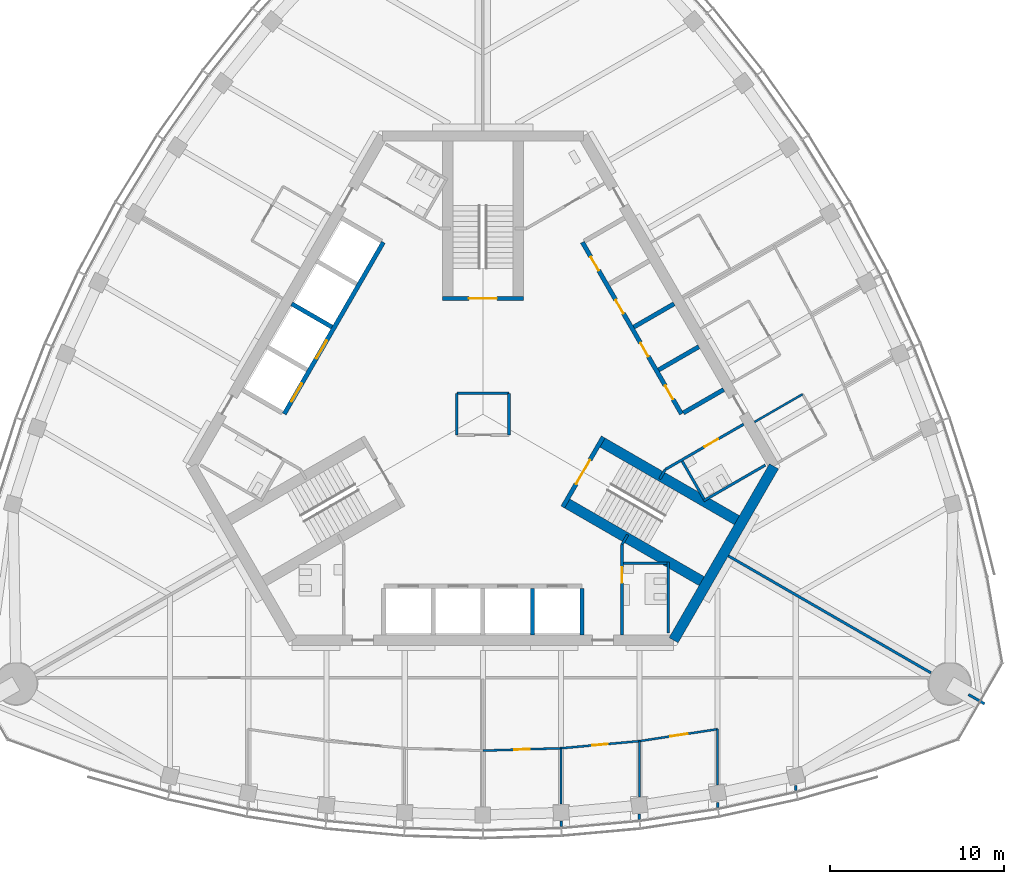
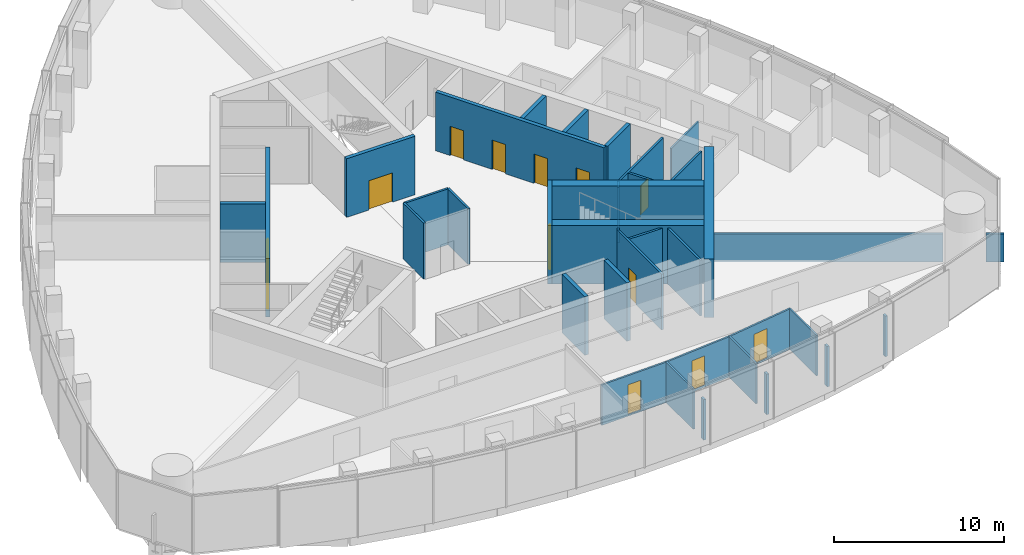
# One storey, part 9 of 16: 37 walls, 13 doors, 13 openings.
"""IFC4 building model written with IfcOpenShell, lengths in metres."""

from ifc_helpers import new_model, si_unit, direction, frame, frame_2d, origin, place, context, subcontext, project, spatial, rectangle, extrude, material, layer, layer_set, type_object, element, fill, save


model = new_model("IFC4")

# Units and contexts
model_context = context("Model", 3, precision=1e-05, world=origin(), true_north=direction((0.0, 1.0)))
body_context = subcontext(model_context, "Body", "Model", "MODEL_VIEW")
ifc_project = project(units=[si_unit("LENGTHUNIT", "METRE"), si_unit("AREAUNIT", "SQUARE_METRE"), si_unit("VOLUMEUNIT", "CUBIC_METRE"), si_unit("PLANEANGLEUNIT", "RADIAN"), si_unit("MASSUNIT", "GRAM", prefix="KILO")], contexts=[model_context])

# Site, building, storey
site_placement = place(None, origin())
site = spatial("IfcSite", under=ifc_project, at=site_placement, CompositionType="ELEMENT")
building_placement = place(site_placement, origin())
building = spatial("IfcBuilding", under=site, at=building_placement, Name="Trefoil Bronze Tower", CompositionType="ELEMENT")
storey_placement = place(building_placement, frame((0.0, 0.0, 318.300048828125)))
storey = spatial("IfcBuildingStorey", under=building, at=storey_placement, Name="L73", CompositionType="ELEMENT", Elevation=318.300048828125)

# Wall
ifc_material_1 = material(Name="Concrete B80", Category="concrete")
ifc_layer_1 = layer(ifc_material_1, 0.60009765625)
ifc_layer_set_1 = layer_set([ifc_layer_1], Name="Core wall 600")
wall_type_1 = type_object("IfcWallType", Name="Core wall 600", PredefinedType="SHEAR", material=ifc_layer_set_1)
wall_1_placement = place(storey_placement, frame((10.9697265625, -13.0, 0.0), z_axis=(0.0, 0.0, 1.0), x_axis=(0.499995765644, 0.866027848477, 0.0)))
element("IfcWall", 1, at=wall_1_placement, inside=storey, type_object=wall_type_1, Name="Core short wall 1 L73", PredefinedType="SHEAR", context=body_context, shape_type="SweptSolid", body=[
    extrude(rectangle(XDim=11.546875, YDim=0.60009765625, at=frame_2d((5.7734375, 0.0))), origin(), (0.0, 0.0, 1.0), 4.199951171875),
])

# Wall, opening, door
ifc_material_2 = material(Name="Glazed partition", Category="glass")
ifc_layer_2 = layer(ifc_material_2, 0.1201171875)
ifc_layer_set_2 = layer_set([ifc_layer_2], Name="Glazed partition 120")
wall_type_2 = type_object("IfcWallType", Name="Glazed partition 120", PredefinedType="PARTITIONING", material=ifc_layer_set_2)
wall_2_placement = place(storey_placement, frame((0.0, -19.3515625, 0.0), z_axis=(0.0, 0.0, 1.0), x_axis=(0.999542074227, 0.030259574513, 0.0)))
wall_2 = element("IfcWall", 2, at=wall_2_placement, inside=storey, type_object=wall_type_2, Name="Partition F1 L73", PredefinedType="PARTITIONING", context=body_context, shape_type="SweptSolid", body=[
    extrude(rectangle(XDim=4.501953125, YDim=0.1201171875, at=frame_2d((2.2509765625, 0.0))), origin(), (0.0, 0.0, 1.0), 2.89990234375),
])
opening_1_placement = place(wall_2_placement, frame((1.800048828125, 0.0, 0.14990234375)))
opening_1 = element("IfcOpeningElement", 3, at=opening_1_placement, cuts=wall_2, Name="Opening D8", PredefinedType="OPENING", context=body_context, shape_type="SweptSolid", body=[
    extrude(rectangle(XDim=0.89990234375, YDim=2.10009765625, at=frame_2d((0.449951171875, 1.050048828125))), frame((0.0, 0.070068359375, 0.0), z_axis=(0.0, -1.0, 0.0), x_axis=(1.0, 0.0, 0.0)), (0.0, 0.0, 1.0), 0.14013671875),
])
ifc_material_3 = material(Name="Timber door", Category="wood")
door_type_1 = type_object("IfcDoorType", Name="Office door 900", OperationType="SINGLE_SWING_LEFT", PredefinedType="DOOR", material=ifc_material_3)
door_1_placement = place(opening_1_placement, frame((0.89990234375, 0.0, 0.0), z_axis=(0.0, 0.0, 1.0), x_axis=(-1.0, 0.0, 0.0)))
door_1 = element("IfcDoor", 4, at=door_1_placement, inside=storey, type_object=door_type_1, Name="Members' office door F1 L73", OperationType="SINGLE_SWING_RIGHT", OverallHeight=2.10009765625, OverallWidth=0.89990234375, PredefinedType="DOOR", context=body_context, shape_type="SweptSolid", body=[
    extrude(rectangle(XDim=0.89990234375, YDim=2.10009765625, at=frame_2d((0.449951171875, 1.050048828125))), frame((0.0, 0.02490234375, 0.0), z_axis=(0.0, -1.0, 0.0), x_axis=(1.0, 0.0, 0.0)), (0.0, 0.0, 1.0), 0.050048828125),
])
fill(opening_1, door_1)

wall_3_placement = place(storey_placement, frame((4.5, -19.21533203125, 0.0), z_axis=(0.0, 0.0, 1.0), x_axis=(0.995871921504, 0.090769576179, 0.0)))
wall_3 = element("IfcWall", 5, at=wall_3_placement, inside=storey, type_object=wall_type_2, Name="Partition F1 L73", PredefinedType="PARTITIONING", context=body_context, shape_type="SweptSolid", body=[
    extrude(rectangle(XDim=4.5185546875, YDim=0.1201171875, at=frame_2d((2.25927734375, 0.0))), origin(), (0.0, 0.0, 1.0), 2.89990234375),
])
opening_2_placement = place(wall_3_placement, frame((1.800048828125, 0.0, 0.14990234375)))
opening_2 = element("IfcOpeningElement", 6, at=opening_2_placement, cuts=wall_3, Name="Opening D8", PredefinedType="OPENING", context=body_context, shape_type="SweptSolid", body=[
    extrude(rectangle(XDim=0.89990234375, YDim=2.10009765625, at=frame_2d((0.449951171875, 1.050048828125))), frame((0.0, 0.070068359375, 0.0), z_axis=(0.0, -1.0, 0.0), x_axis=(1.0, 0.0, 0.0)), (0.0, 0.0, 1.0), 0.14013671875),
])
door_2_placement = place(opening_2_placement, frame((0.89990234375, 0.0, 0.0), z_axis=(0.0, 0.0, 1.0), x_axis=(-1.0, 0.0, 0.0)))
door_2 = element("IfcDoor", 7, at=door_2_placement, inside=storey, type_object=door_type_1, Name="Members' office door F1 L73", OperationType="SINGLE_SWING_RIGHT", OverallHeight=2.10009765625, OverallWidth=0.89990234375, PredefinedType="DOOR", context=body_context, shape_type="SweptSolid", body=[
    extrude(rectangle(XDim=0.89990234375, YDim=2.10009765625, at=frame_2d((0.449951171875, 1.050048828125))), frame((0.0, 0.02490234375, 0.0), z_axis=(0.0, -1.0, 0.0), x_axis=(1.0, 0.0, 0.0)), (0.0, 0.0, 1.0), 0.050048828125),
])
fill(opening_2, door_2)

wall_4_placement = place(storey_placement, frame((9.0, -18.80517578125, 0.0), z_axis=(0.0, 0.0, 1.0), x_axis=(0.988481794406, 0.151339823341, 0.0)))
wall_4 = element("IfcWall", 8, at=wall_4_placement, inside=storey, type_object=wall_type_2, Name="Partition F1 L73", PredefinedType="PARTITIONING", context=body_context, shape_type="SweptSolid", body=[
    extrude(rectangle(XDim=4.552490234375, YDim=0.1201171875, at=frame_2d((2.2763671875, 0.0))), origin(), (0.0, 0.0, 1.0), 2.89990234375),
])
opening_3_placement = place(wall_4_placement, frame((1.800048828125, 0.0, 0.14990234375)))
opening_3 = element("IfcOpeningElement", 9, at=opening_3_placement, cuts=wall_4, Name="Opening D9", PredefinedType="OPENING", context=body_context, shape_type="SweptSolid", body=[
    extrude(rectangle(XDim=1.0, YDim=2.10009765625, at=frame_2d((0.5, 1.050048828125))), frame((0.0, 0.070068359375, 0.0), z_axis=(0.0, -1.0, 0.0), x_axis=(1.0, 0.0, 0.0)), (0.0, 0.0, 1.0), 0.14013671875),
])
ifc_material_4 = material(Name="Glazed timber door", Category="wood")
door_type_2 = type_object("IfcDoorType", Name="Meeting room door 1000", OperationType="SINGLE_SWING_LEFT", PredefinedType="DOOR", material=ifc_material_4)
door_3_placement = place(opening_3_placement, frame((1.0, 0.0, 0.0), z_axis=(0.0, 0.0, 1.0), x_axis=(-1.0, 0.0, 0.0)))
door_3 = element("IfcDoor", 10, at=door_3_placement, inside=storey, type_object=door_type_2, Name="Meeting room door F1 L73", OperationType="SINGLE_SWING_LEFT", OverallHeight=2.10009765625, OverallWidth=1.0, PredefinedType="DOOR", context=body_context, shape_type="SweptSolid", body=[
    extrude(rectangle(XDim=1.0, YDim=2.10009765625, at=frame_2d((0.5, 1.050048828125))), frame((0.0, 0.02490234375, 0.0), z_axis=(0.0, -1.0, 0.0), x_axis=(1.0, 0.0, 0.0)), (0.0, 0.0, 1.0), 0.050048828125),
])
fill(opening_3, door_3)

# Walls
wall_5_placement = place(storey_placement, frame((13.5, -18.1162109375, 0.0), z_axis=(0.0, 0.0, 1.0), x_axis=(0.0, -1.0, 0.0)))
element("IfcWall", 11, at=wall_5_placement, inside=storey, type_object=wall_type_2, Name="Partition F1 L73", PredefinedType="PARTITIONING", context=body_context, shape_type="SweptSolid", body=[
    extrude(rectangle(XDim=3.198486328125, YDim=0.1201171875, at=frame_2d((1.59912109375, 0.0))), origin(), (0.0, 0.0, 1.0), 2.89990234375),
])
wall_6_placement = place(storey_placement, frame((4.5, -19.21533203125, 0.0), z_axis=(0.0, 0.0, 1.0), x_axis=(0.0, -1.0, 0.0)))
element("IfcWall", 12, at=wall_6_placement, inside=storey, type_object=wall_type_2, Name="Partition F1 L73", PredefinedType="PARTITIONING", context=body_context, shape_type="SweptSolid", body=[
    extrude(rectangle(XDim=3.2177734375, YDim=0.1201171875, at=frame_2d((1.60888671875, 0.0))), origin(), (0.0, 0.0, 1.0), 2.89990234375),
])
wall_7_placement = place(storey_placement, frame((9.0, -18.80517578125, 0.0), z_axis=(0.0, 0.0, 1.0), x_axis=(0.0, -1.0, 0.0)))
element("IfcWall", 13, at=wall_7_placement, inside=storey, type_object=wall_type_2, Name="Partition F1 L73", PredefinedType="PARTITIONING", context=body_context, shape_type="SweptSolid", body=[
    extrude(rectangle(XDim=3.21044921875, YDim=0.1201171875, at=frame_2d((1.605224609375, 0.0))), origin(), (0.0, 0.0, 1.0), 2.89990234375),
])
wall_8_placement = place(storey_placement, frame((15.6181640625, -0.451416015625, 0.0), z_axis=(0.0, 0.0, 1.0), x_axis=(0.866008981251, 0.500028443584, 0.0)))
element("IfcWall", 14, at=wall_8_placement, inside=storey, type_object=wall_type_2, Name="Partition F2 L73", PredefinedType="PARTITIONING", context=body_context, shape_type="SweptSolid", body=[
    extrude(rectangle(XDim=3.199951171875, YDim=0.1201171875, at=frame_2d((1.60009765625, 0.0))), origin(), (0.0, 0.0, 1.0), 2.89990234375),
])

# Wall, opening, door
ifc_material_5 = material(Name="Gypsum board on steel studs", Category="steel")
ifc_layer_3 = layer(ifc_material_5, 0.14990234375)
ifc_layer_set_3 = layer_set([ifc_layer_3], Name="Partition 150")
wall_type_3 = type_object("IfcWallType", Name="Partition 150", PredefinedType="PARTITIONING", material=ifc_layer_set_3)
wall_9_placement = place(storey_placement, frame((8.0, -7.5, 0.0), z_axis=(0.0, 0.0, 1.0), x_axis=(0.0, -1.0, 0.0)))
wall_9 = element("IfcWall", 15, at=wall_9_placement, inside=storey, type_object=wall_type_3, Name="Passage wall F1+ L73", PredefinedType="PARTITIONING", context=body_context, shape_type="SweptSolid", body=[
    extrude(rectangle(XDim=5.199951171875, YDim=0.14990234375, at=frame_2d((2.60009765625, 0.0))), origin(), (0.0, 0.0, 1.0), 4.0),
])
opening_4_placement = place(wall_9_placement, frame((1.300048828125, 0.0, 0.0)))
opening_4 = element("IfcOpeningElement", 16, at=opening_4_placement, cuts=wall_9, Name="Opening D3", PredefinedType="OPENING", context=body_context, shape_type="SweptSolid", body=[
    extrude(rectangle(XDim=0.89990234375, YDim=2.10009765625, at=frame_2d((0.449951171875, 1.050048828125))), frame((0.0, 0.0849609375, 0.0), z_axis=(0.0, -1.0, 0.0), x_axis=(1.0, 0.0, 0.0)), (0.0, 0.0, 1.0), 0.169921875),
])
ifc_material_6 = material(Name="Timber door", Category="wood")
door_type_3 = type_object("IfcDoorType", Name="WC door 900", OperationType="SINGLE_SWING_LEFT", PredefinedType="DOOR", material=ifc_material_6)
door_4_placement = place(opening_4_placement, origin())
door_4 = element("IfcDoor", 17, at=door_4_placement, inside=storey, type_object=door_type_3, Name="WC (men) door L73", OperationType="SINGLE_SWING_LEFT", OverallHeight=2.10009765625, OverallWidth=0.89990234375, PredefinedType="DOOR", context=body_context, shape_type="SweptSolid", body=[
    extrude(rectangle(XDim=0.89990234375, YDim=2.10009765625, at=frame_2d((0.449951171875, 1.050048828125))), frame((0.0, 0.02490234375, 0.0), z_axis=(0.0, -1.0, 0.0), x_axis=(1.0, 0.0, 0.0)), (0.0, 0.0, 1.0), 0.050048828125),
])
fill(opening_4, door_4)

wall_10_placement = place(storey_placement, frame((10.4951171875, -3.17822265625, 0.0), z_axis=(0.0, 0.0, 1.0), x_axis=(0.866021400173, 0.500006934395, 0.0)))
wall_10 = element("IfcWall", 18, at=wall_10_placement, inside=storey, type_object=wall_type_3, Name="Passage wall F2- L73", PredefinedType="PARTITIONING", context=body_context, shape_type="SweptSolid", body=[
    extrude(rectangle(XDim=5.2001953125, YDim=0.14990234375, at=frame_2d((2.60009765625, 0.0))), origin(), (0.0, 0.0, 1.0), 4.0),
])
opening_5_placement = place(wall_10_placement, frame((2.60009765625, 0.0, 0.0)))
opening_5 = element("IfcOpeningElement", 19, at=opening_5_placement, cuts=wall_10, Name="Opening D3", PredefinedType="OPENING", context=body_context, shape_type="SweptSolid", body=[
    extrude(rectangle(XDim=0.89990234375, YDim=2.10009765625, at=frame_2d((0.449951171875, 1.050048828125))), frame((0.0, 0.0849609375, 0.0), z_axis=(0.0, -1.0, 0.0), x_axis=(1.0, 0.0, 0.0)), (0.0, 0.0, 1.0), 0.169921875),
])
door_5_placement = place(opening_5_placement, frame((0.89990234375, 0.0, 0.0), z_axis=(0.0, 0.0, 1.0), x_axis=(-1.0, 0.0, 0.0)))
door_5 = element("IfcDoor", 20, at=door_5_placement, inside=storey, type_object=door_type_3, Name="WC (women) door L73", OperationType="SINGLE_SWING_RIGHT", OverallHeight=2.10009765625, OverallWidth=0.89990234375, PredefinedType="DOOR", context=body_context, shape_type="SweptSolid", body=[
    extrude(rectangle(XDim=0.89990234375, YDim=2.10009765625, at=frame_2d((0.449951171875, 1.050048828125))), frame((0.0, 0.02490234375, 0.0), z_axis=(0.0, -1.0, 0.0), x_axis=(1.0, 0.0, 0.0)), (0.0, 0.0, 1.0), 0.050048828125),
])
fill(opening_5, door_5)

# Walls
for number, where, z_axis, x_axis, name in (
    (21, (8.0, -7.5, 0.0), (0.0, 0.0, 1.0), (0.499842556608, 0.866116284689, 0.0), "WC wall ST1-1 L73"),
    (22, (10.4951171875, -3.17822265625, 0.0), (0.0, 0.0, 1.0), (-0.499842556608, -0.866116284689, 0.0), "WC wall ST1+1 L73"),
):
    element("IfcWall", number, at=place(storey_placement, frame(where, z_axis=z_axis, x_axis=x_axis)), inside=storey, type_object=wall_type_3, Name=name, PredefinedType="PARTITIONING", context=body_context, shape_type="SweptSolid", body=[
        extrude(rectangle(XDim=0.645263671875, YDim=0.14990234375, at=frame_2d((0.32275390625, 0.0))), origin(), (0.0, 0.0, 1.0), 4.0),
    ])
wall_11_placement = place(storey_placement, frame((10.659912109375, -8.5, 0.0), z_axis=(0.0, 0.0, 1.0), x_axis=(0.0, -1.0, 0.0)))
element("IfcWall", 23, at=wall_11_placement, inside=storey, type_object=wall_type_3, Name="WC partition WC (men) L73", PredefinedType="PARTITIONING", context=body_context, shape_type="SweptSolid", body=[
    extrude(rectangle(XDim=4.10009765625, YDim=0.14990234375, at=frame_2d((2.050048828125, 0.0))), origin(), (0.0, 0.0, 1.0), 4.0),
])
wall_12_placement = place(storey_placement, frame((8.074951171875, -8.574951171875, 0.0), z_axis=(0.0, 0.0, 1.0), x_axis=(1.0, 0.0, 0.0)))
element("IfcWall", 24, at=wall_12_placement, inside=storey, type_object=wall_type_3, Name="WC partition WC (men) L73", PredefinedType="PARTITIONING", context=body_context, shape_type="SweptSolid", body=[
    extrude(rectangle(XDim=2.510009765625, YDim=0.14990234375, at=frame_2d((1.2548828125, 0.0))), origin(), (0.0, 0.0, 1.0), 4.0),
])
wall_13_placement = place(storey_placement, frame((12.691162109375, -4.98193359375, 0.0), z_axis=(0.0, 0.0, 1.0), x_axis=(0.8660249478, 0.500000789788, 0.0)))
element("IfcWall", 25, at=wall_13_placement, inside=storey, type_object=wall_type_3, Name="WC partition WC (women) L73", PredefinedType="PARTITIONING", context=body_context, shape_type="SweptSolid", body=[
    extrude(rectangle(XDim=4.10009765625, YDim=0.14990234375, at=frame_2d((2.050048828125, 0.0))), origin(), (0.0, 0.0, 1.0), 4.0),
])
wall_14_placement = place(storey_placement, frame((11.463623046875, -2.70556640625, 0.0), z_axis=(0.0, 0.0, 1.0), x_axis=(0.50001992892, -0.866013897511, 0.0)))
element("IfcWall", 26, at=wall_14_placement, inside=storey, type_object=wall_type_3, Name="WC partition WC (women) L73", PredefinedType="PARTITIONING", context=body_context, shape_type="SweptSolid", body=[
    extrude(rectangle(XDim=2.51025390625, YDim=0.14990234375, at=frame_2d((1.255126953125, 0.0))), origin(), (0.0, 0.0, 1.0), 4.0),
])
wall_15_placement = place(storey_placement, frame((13.5, -22.3310546875, 0.0), z_axis=(0.0, 0.0, 1.0), x_axis=(0.0, -1.0, 0.0)))
element("IfcWall", 27, at=wall_15_placement, inside=storey, type_object=wall_type_3, Name="Partition F1 L73", PredefinedType="PARTITIONING", context=body_context, shape_type="SweptSolid", body=[
    extrude(rectangle(XDim=0.2802734375, YDim=0.14990234375, at=frame_2d((0.14013671875, 0.0))), origin(), (0.0, 0.0, 1.0), 2.89990234375),
])
wall_16_placement = place(storey_placement, frame((18.0, -21.365966796875, 0.0), z_axis=(0.0, 0.0, 1.0), x_axis=(0.0, -1.0, 0.0)))
element("IfcWall", 28, at=wall_16_placement, inside=storey, type_object=wall_type_3, Name="Partition F1 L73", PredefinedType="PARTITIONING", context=body_context, shape_type="SweptSolid", body=[
    extrude(rectangle(XDim=0.269775390625, YDim=0.14990234375, at=frame_2d((0.134765625, 0.0))), origin(), (0.0, 0.0, 1.0), 2.89990234375),
])
wall_17_placement = place(storey_placement, frame((4.5, -23.394287109375, 0.0), z_axis=(0.0, 0.0, 1.0), x_axis=(0.0, -1.0, 0.0)))
element("IfcWall", 29, at=wall_17_placement, inside=storey, type_object=wall_type_3, Name="Partition F1 L73", PredefinedType="PARTITIONING", context=body_context, shape_type="SweptSolid", body=[
    extrude(rectangle(XDim=0.316162109375, YDim=0.14990234375, at=frame_2d((0.158203125, 0.0))), origin(), (0.0, 0.0, 1.0), 2.89990234375),
])
wall_18_placement = place(storey_placement, frame((9.0, -23.00439453125, 0.0), z_axis=(0.0, 0.0, 1.0), x_axis=(0.0, -1.0, 0.0)))
element("IfcWall", 30, at=wall_18_placement, inside=storey, type_object=wall_type_3, Name="Partition F1 L73", PredefinedType="PARTITIONING", context=body_context, shape_type="SweptSolid", body=[
    extrude(rectangle(XDim=0.295654296875, YDim=0.14990234375, at=frame_2d((0.14794921875, 0.0))), origin(), (0.0, 0.0, 1.0), 2.89990234375),
])
ifc_material_7 = material(Name="Gypsum board on steel studs", Category="steel")
ifc_layer_4 = layer(ifc_material_7, 0.14990234375)
ifc_layer_set_4 = layer_set([ifc_layer_4], Name="Party wall 150")
wall_type_4 = type_object("IfcWallType", Name="Party wall 150", PredefinedType="PARTITIONING", material=ifc_layer_set_4)
wall_19_placement = place(storey_placement, frame((14.1162109375, -8.14990234375, 0.0), z_axis=(0.0, 0.0, 1.0), x_axis=(0.866020541135, -0.500008422262, 0.0)))
element("IfcWall", 31, at=wall_19_placement, inside=storey, type_object=wall_type_4, Name="Party wall K1 L73", PredefinedType="PARTITIONING", context=body_context, shape_type="SweptSolid", body=[
    extrude(rectangle(XDim=13.449951171875, YDim=0.14990234375, at=frame_2d((6.72509765625, 0.0))), origin(), (0.0, 0.0, 1.0), 2.0),
])
wall_20_placement = place(storey_placement, frame((27.92919921875, -16.125, 0.0), z_axis=(0.0, 0.0, 1.0), x_axis=(0.866086810508, -0.499893625349, 0.0)))
element("IfcWall", 32, at=wall_20_placement, inside=storey, type_object=wall_type_4, Name="Party wall K1 L73", PredefinedType="PARTITIONING", context=body_context, shape_type="SweptSolid", body=[
    extrude(rectangle(XDim=1.070068359375, YDim=0.14990234375, at=frame_2d((0.53515625, 0.0))), origin(), (0.0, 0.0, 1.0), 2.0),
])
ifc_material_8 = material(Name="Gypsum board on steel studs", Category="steel")
ifc_layer_5 = layer(ifc_material_8, 0.14990234375)
ifc_layer_set_5 = layer_set([ifc_layer_5], Name="Riser wall 150")
wall_type_5 = type_object("IfcWallType", Name="Riser wall 150", PredefinedType="PARTITIONING", material=ifc_layer_set_5)
wall_21_placement = place(storey_placement, frame((1.5, -1.199951171875, 0.0), z_axis=(0.0, 0.0, 1.0), x_axis=(0.0, 1.0, 0.0)))
element("IfcWall", 33, at=wall_21_placement, inside=storey, type_object=wall_type_5, Name="Riser wall L73", PredefinedType="PARTITIONING", context=body_context, shape_type="SweptSolid", body=[
    extrude(rectangle(XDim=2.39990234375, YDim=0.14990234375, at=frame_2d((1.199951171875, 0.0))), origin(), (0.0, 0.0, 1.0), 4.0),
])
wall_22_placement = place(storey_placement, frame((1.5, 1.199951171875, 0.0), z_axis=(0.0, 0.0, 1.0), x_axis=(-1.0, 0.0, 0.0)))
element("IfcWall", 34, at=wall_22_placement, inside=storey, type_object=wall_type_5, Name="Riser wall L73", PredefinedType="PARTITIONING", context=body_context, shape_type="SweptSolid", body=[
    extrude(rectangle(XDim=3.0, YDim=0.14990234375, at=frame_2d((1.5, 0.0))), origin(), (0.0, 0.0, 1.0), 4.0),
])
wall_23_placement = place(storey_placement, frame((-1.5, 1.199951171875, 0.0), z_axis=(0.0, 0.0, 1.0), x_axis=(0.0, -1.0, 0.0)))
element("IfcWall", 35, at=wall_23_placement, inside=storey, type_object=wall_type_5, Name="Riser wall L73", PredefinedType="PARTITIONING", context=body_context, shape_type="SweptSolid", body=[
    extrude(rectangle(XDim=2.39990234375, YDim=0.14990234375, at=frame_2d((1.199951171875, 0.0))), origin(), (0.0, 0.0, 1.0), 4.0),
])
ifc_material_9 = material(Name="Concrete B80", Category="concrete")
ifc_layer_6 = layer(ifc_material_9, 0.25)
ifc_layer_set_6 = layer_set([ifc_layer_6], Name="Shaft wall 250")
wall_type_6 = type_object("IfcWallType", Name="Shaft wall 250", PredefinedType="SHEAR", material=ifc_layer_set_6)
for number, where, z_axis, x_axis, name in (
    (36, (2.85009765625, -10.02490234375, 0.0), (0.0, 0.0, 1.0), (0.0, -1.0, 0.0), "Lift shaft side wall A3 L73"),
    (37, (5.699951171875, -10.02490234375, 0.0), (0.0, 0.0, 1.0), (0.0, -1.0, 0.0), "Lift shaft side wall A4 L73"),
):
    element("IfcWall", number, at=place(storey_placement, frame(where, z_axis=z_axis, x_axis=x_axis)), inside=storey, type_object=wall_type_6, Name=name, PredefinedType="SHEAR", context=body_context, shape_type="SweptSolid", body=[
        extrude(rectangle(XDim=2.675048828125, YDim=0.25, at=frame_2d((1.33740234375, 0.0))), origin(), (0.0, 0.0, 1.0), 4.199951171875),
    ])

# Wall, openings, doors
wall_24_placement = place(storey_placement, frame((11.423583984375, 0.013671875, 0.0), z_axis=(0.0, 0.0, 1.0), x_axis=(-0.500001763848, 0.866024385424, 0.0)))
wall_24 = element("IfcWall", 38, at=wall_24_placement, inside=storey, type_object=wall_type_6, Name="Lift shaft front wall B L73", PredefinedType="SHEAR", context=body_context, shape_type="SweptSolid", body=[
    extrude(rectangle(XDim=11.39990234375, YDim=0.25, at=frame_2d((5.699951171875, 0.0))), origin(), (0.0, 0.0, 1.0), 4.199951171875),
])
opening_6_placement = place(wall_24_placement, frame((0.97509765625, 0.0, 0.0)))
opening_6 = element("IfcOpeningElement", 39, at=opening_6_placement, cuts=wall_24, Name="Opening D12", PredefinedType="OPENING", context=body_context, shape_type="SweptSolid", body=[
    extrude(rectangle(XDim=0.89990234375, YDim=2.10009765625, at=frame_2d((0.449951171875, 1.050048828125))), frame((0.0, 0.135009765625, 0.0), z_axis=(0.0, -1.0, 0.0), x_axis=(1.0, 0.0, 0.0)), (0.0, 0.0, 1.0), 0.27001953125),
])
opening_7_placement = place(wall_24_placement, frame((3.824951171875, 0.0, 0.0)))
opening_7 = element("IfcOpeningElement", 40, at=opening_7_placement, cuts=wall_24, Name="Opening D12", PredefinedType="OPENING", context=body_context, shape_type="SweptSolid", body=[
    extrude(rectangle(XDim=0.89990234375, YDim=2.10009765625, at=frame_2d((0.449951171875, 1.050048828125))), frame((0.0, 0.135009765625, 0.0), z_axis=(0.0, -1.0, 0.0), x_axis=(1.0, 0.0, 0.0)), (0.0, 0.0, 1.0), 0.27001953125),
])
opening_8_placement = place(wall_24_placement, frame((6.675048828125, 0.0, 0.0)))
opening_8 = element("IfcOpeningElement", 41, at=opening_8_placement, cuts=wall_24, Name="Opening D12", PredefinedType="OPENING", context=body_context, shape_type="SweptSolid", body=[
    extrude(rectangle(XDim=0.89990234375, YDim=2.10009765625, at=frame_2d((0.449951171875, 1.050048828125))), frame((0.0, 0.135009765625, 0.0), z_axis=(0.0, -1.0, 0.0), x_axis=(1.0, 0.0, 0.0)), (0.0, 0.0, 1.0), 0.27001953125),
])
opening_9_placement = place(wall_24_placement, frame((9.52490234375, 0.0, 0.0)))
opening_9 = element("IfcOpeningElement", 42, at=opening_9_placement, cuts=wall_24, Name="Opening D12", PredefinedType="OPENING", context=body_context, shape_type="SweptSolid", body=[
    extrude(rectangle(XDim=0.89990234375, YDim=2.10009765625, at=frame_2d((0.449951171875, 1.050048828125))), frame((0.0, 0.135009765625, 0.0), z_axis=(0.0, -1.0, 0.0), x_axis=(1.0, 0.0, 0.0)), (0.0, 0.0, 1.0), 0.27001953125),
])
ifc_material_10 = material(Name="Steel door", Category="steel")
door_type_4 = type_object("IfcDoorType", Name="Shaft room door 900", OperationType="SINGLE_SWING_LEFT", PredefinedType="DOOR", material=ifc_material_10)
door_6_placement = place(opening_6_placement, frame((0.89990234375, 0.0, 0.0), z_axis=(0.0, 0.0, 1.0), x_axis=(-1.0, 0.0, 0.0)))
door_6 = element("IfcDoor", 43, at=door_6_placement, inside=storey, type_object=door_type_4, Name="Shaft room door B1 L73", OperationType="SINGLE_SWING_LEFT", OverallHeight=2.10009765625, OverallWidth=0.89990234375, PredefinedType="DOOR", context=body_context, shape_type="SweptSolid", body=[
    extrude(rectangle(XDim=0.89990234375, YDim=2.10009765625, at=frame_2d((0.449951171875, 1.050048828125))), frame((0.0, 0.02490234375, 0.0), z_axis=(0.0, -1.0, 0.0), x_axis=(1.0, 0.0, 0.0)), (0.0, 0.0, 1.0), 0.050048828125),
])
fill(opening_6, door_6)
door_7_placement = place(opening_7_placement, frame((0.89990234375, 0.0, 0.0), z_axis=(0.0, 0.0, 1.0), x_axis=(-1.0, 0.0, 0.0)))
door_7 = element("IfcDoor", 44, at=door_7_placement, inside=storey, type_object=door_type_4, Name="Shaft room door B2 L73", OperationType="SINGLE_SWING_RIGHT", OverallHeight=2.10009765625, OverallWidth=0.89990234375, PredefinedType="DOOR", context=body_context, shape_type="SweptSolid", body=[
    extrude(rectangle(XDim=0.89990234375, YDim=2.10009765625, at=frame_2d((0.449951171875, 1.050048828125))), frame((0.0, 0.02490234375, 0.0), z_axis=(0.0, -1.0, 0.0), x_axis=(1.0, 0.0, 0.0)), (0.0, 0.0, 1.0), 0.050048828125),
])
fill(opening_7, door_7)
door_8_placement = place(opening_8_placement, frame((0.89990234375, 0.0, 0.0), z_axis=(0.0, 0.0, 1.0), x_axis=(-1.0, 0.0, 0.0)))
door_8 = element("IfcDoor", 45, at=door_8_placement, inside=storey, type_object=door_type_4, Name="Shaft room door B3 L73", OperationType="SINGLE_SWING_RIGHT", OverallHeight=2.10009765625, OverallWidth=0.89990234375, PredefinedType="DOOR", context=body_context, shape_type="SweptSolid", body=[
    extrude(rectangle(XDim=0.89990234375, YDim=2.10009765625, at=frame_2d((0.449951171875, 1.050048828125))), frame((0.0, 0.02490234375, 0.0), z_axis=(0.0, -1.0, 0.0), x_axis=(1.0, 0.0, 0.0)), (0.0, 0.0, 1.0), 0.050048828125),
])
fill(opening_8, door_8)
door_9_placement = place(opening_9_placement, frame((0.89990234375, 0.0, 0.0), z_axis=(0.0, 0.0, 1.0), x_axis=(-1.0, 0.0, 0.0)))
door_9 = element("IfcDoor", 46, at=door_9_placement, inside=storey, type_object=door_type_4, Name="Shaft room door B4 L73", OperationType="SINGLE_SWING_RIGHT", OverallHeight=2.10009765625, OverallWidth=0.89990234375, PredefinedType="DOOR", context=body_context, shape_type="SweptSolid", body=[
    extrude(rectangle(XDim=0.89990234375, YDim=2.10009765625, at=frame_2d((0.449951171875, 1.050048828125))), frame((0.0, 0.02490234375, 0.0), z_axis=(0.0, -1.0, 0.0), x_axis=(1.0, 0.0, 0.0)), (0.0, 0.0, 1.0), 0.050048828125),
])
fill(opening_9, door_9)

# Walls
for number, where, z_axis, x_axis, name in (
    (47, (11.531982421875, 0.076171875, 0.0), (0.0, 0.0, 1.0), (0.86604424267, 0.499967368674, 0.0), "Lift shaft side wall B0 L73"),
    (48, (10.10693359375, 2.54443359375, 0.0), (0.0, 0.0, 1.0), (0.86604424267, 0.499967368674, 0.0), "Lift shaft side wall B1 L73"),
    (49, (8.681884765625, 5.012451171875, 0.0), (0.0, 0.0, 1.0), (0.866004723184, 0.50003581814, 0.0), "Lift shaft side wall B2 L73"),
):
    element("IfcWall", number, at=place(storey_placement, frame(where, z_axis=z_axis, x_axis=x_axis)), inside=storey, type_object=wall_type_6, Name=name, PredefinedType="SHEAR", context=body_context, shape_type="SweptSolid", body=[
        extrude(rectangle(XDim=2.675048828125, YDim=0.25, at=frame_2d((1.33740234375, 0.0))), origin(), (0.0, 0.0, 1.0), 4.199951171875),
    ])

# Wall, openings, doors
wall_25_placement = place(storey_placement, frame((-5.7236328125, 9.88623046875, 0.0), z_axis=(0.0, 0.0, 1.0), x_axis=(-0.500001763848, -0.866024385424, 0.0)))
wall_25 = element("IfcWall", 50, at=wall_25_placement, inside=storey, type_object=wall_type_6, Name="Lift shaft front wall C L73", PredefinedType="SHEAR", context=body_context, shape_type="SweptSolid", body=[
    extrude(rectangle(XDim=11.39990234375, YDim=0.25, at=frame_2d((5.699951171875, 0.0))), origin(), (0.0, 0.0, 1.0), 4.199951171875),
])
opening_10_placement = place(wall_25_placement, frame((6.52490234375, 0.0, 0.0)))
opening_10 = element("IfcOpeningElement", 51, at=opening_10_placement, cuts=wall_25, Name="Opening LD-FL1", PredefinedType="OPENING", context=body_context, shape_type="SweptSolid", body=[
    extrude(rectangle(XDim=1.199951171875, YDim=2.199951171875, at=frame_2d((0.60009765625, 1.10009765625))), frame((0.0, 0.135009765625, 0.0), z_axis=(0.0, -1.0, 0.0), x_axis=(1.0, 0.0, 0.0)), (0.0, 0.0, 1.0), 0.27001953125),
])
opening_11_placement = place(wall_25_placement, frame((9.375, 0.0, 0.0)))
opening_11 = element("IfcOpeningElement", 52, at=opening_11_placement, cuts=wall_25, Name="Opening LD-FL2", PredefinedType="OPENING", context=body_context, shape_type="SweptSolid", body=[
    extrude(rectangle(XDim=1.199951171875, YDim=2.199951171875, at=frame_2d((0.60009765625, 1.10009765625))), frame((0.0, 0.135009765625, 0.0), z_axis=(0.0, -1.0, 0.0), x_axis=(1.0, 0.0, 0.0)), (0.0, 0.0, 1.0), 0.27001953125),
])
ifc_material_11 = material(Name="Steel door", Category="steel")
door_type_5 = type_object("IfcDoorType", Name="Lift landing door 1200", OperationType="DOUBLE_DOOR_SLIDING", PredefinedType="DOOR", material=ifc_material_11)
door_10_placement = place(opening_10_placement, origin())
door_10 = element("IfcDoor", 53, at=door_10_placement, inside=storey, type_object=door_type_5, Name="Lift FL1 landing door L73", OperationType="DOUBLE_DOOR_SLIDING", OverallHeight=2.199951171875, OverallWidth=1.199951171875, PredefinedType="DOOR", context=body_context, shape_type="SweptSolid", body=[
    extrude(rectangle(XDim=1.199951171875, YDim=2.199951171875, at=frame_2d((0.60009765625, 1.10009765625))), frame((0.0, 0.02490234375, 0.0), z_axis=(0.0, -1.0, 0.0), x_axis=(1.0, 0.0, 0.0)), (0.0, 0.0, 1.0), 0.050048828125),
])
fill(opening_10, door_10)
door_11_placement = place(opening_11_placement, origin())
door_11 = element("IfcDoor", 54, at=door_11_placement, inside=storey, type_object=door_type_5, Name="Lift FL2 landing door L73", OperationType="DOUBLE_DOOR_SLIDING", OverallHeight=2.199951171875, OverallWidth=1.199951171875, PredefinedType="DOOR", context=body_context, shape_type="SweptSolid", body=[
    extrude(rectangle(XDim=1.199951171875, YDim=2.199951171875, at=frame_2d((0.60009765625, 1.10009765625))), frame((0.0, 0.02490234375, 0.0), z_axis=(0.0, -1.0, 0.0), x_axis=(1.0, 0.0, 0.0)), (0.0, 0.0, 1.0), 0.050048828125),
])
fill(opening_11, door_11)

# Wall
wall_26_placement = place(storey_placement, frame((-8.681884765625, 5.012451171875, 0.0), z_axis=(0.0, 0.0, 1.0), x_axis=(-0.866004723184, 0.50003581814, 0.0)))
element("IfcWall", 55, at=wall_26_placement, inside=storey, type_object=wall_type_6, Name="Lift shaft side wall C2 L73", PredefinedType="SHEAR", context=body_context, shape_type="SweptSolid", body=[
    extrude(rectangle(XDim=2.675048828125, YDim=0.25, at=frame_2d((1.33740234375, 0.0))), origin(), (0.0, 0.0, 1.0), 4.199951171875),
])

# Wall, opening, door
wall_27_placement = place(storey_placement, frame((4.5966796875, -5.338623046875, 0.0), z_axis=(0.0, 0.0, 1.0), x_axis=(0.499984536904, 0.866034331223, 0.0)))
wall_27 = element("IfcWall", 56, at=wall_27_placement, inside=storey, type_object=wall_type_6, Name="Stair end wall ST1 L73", PredefinedType="SHEAR", context=body_context, shape_type="SweptSolid", body=[
    extrude(rectangle(XDim=4.650146484375, YDim=0.25, at=frame_2d((2.3251953125, 0.0))), origin(), (0.0, 0.0, 1.0), 4.199951171875),
])
opening_12_placement = place(wall_27_placement, frame((1.52490234375, 0.0, 0.0)))
opening_12 = element("IfcOpeningElement", 57, at=opening_12_placement, cuts=wall_27, Name="Opening D1", PredefinedType="OPENING", context=body_context, shape_type="SweptSolid", body=[
    extrude(rectangle(XDim=1.60009765625, YDim=2.10009765625, at=frame_2d((0.800048828125, 1.050048828125))), frame((0.0, 0.135009765625, 0.0), z_axis=(0.0, -1.0, 0.0), x_axis=(1.0, 0.0, 0.0)), (0.0, 0.0, 1.0), 0.27001953125),
])
ifc_material_12 = material(Name="Steel door", Category="steel")
door_type_6 = type_object("IfcDoorType", Name="Stair door 1600", OperationType="DOUBLE_DOOR_SINGLE_SWING", PredefinedType="DOOR", material=ifc_material_12)
door_12_placement = place(opening_12_placement, frame((1.60009765625, 0.0, 0.0), z_axis=(0.0, 0.0, 1.0), x_axis=(-1.0, 0.0, 0.0)))
door_12 = element("IfcDoor", 58, at=door_12_placement, inside=storey, type_object=door_type_6, Name="Stair door ST1 L73", OperationType="DOUBLE_DOOR_SINGLE_SWING", OverallHeight=2.10009765625, OverallWidth=1.60009765625, PredefinedType="DOOR", context=body_context, shape_type="SweptSolid", body=[
    extrude(rectangle(XDim=1.60009765625, YDim=2.10009765625, at=frame_2d((0.800048828125, 1.050048828125))), frame((0.0, 0.02490234375, 0.0), z_axis=(0.0, -1.0, 0.0), x_axis=(1.0, 0.0, 0.0)), (0.0, 0.0, 1.0), 0.050048828125),
])
fill(opening_12, door_12)

wall_28_placement = place(storey_placement, frame((2.324951171875, 6.64990234375, 0.0), z_axis=(0.0, 0.0, 1.0), x_axis=(-1.0, 0.0, 0.0)))
wall_28 = element("IfcWall", 59, at=wall_28_placement, inside=storey, type_object=wall_type_6, Name="Stair end wall ST2 L73", PredefinedType="SHEAR", context=body_context, shape_type="SweptSolid", body=[
    extrude(rectangle(XDim=4.64990234375, YDim=0.25, at=frame_2d((2.324951171875, 0.0))), origin(), (0.0, 0.0, 1.0), 4.199951171875),
])
opening_13_placement = place(wall_28_placement, frame((1.52490234375, 0.0, 0.0)))
opening_13 = element("IfcOpeningElement", 60, at=opening_13_placement, cuts=wall_28, Name="Opening D1", PredefinedType="OPENING", context=body_context, shape_type="SweptSolid", body=[
    extrude(rectangle(XDim=1.60009765625, YDim=2.10009765625, at=frame_2d((0.800048828125, 1.050048828125))), frame((0.0, 0.135009765625, 0.0), z_axis=(0.0, -1.0, 0.0), x_axis=(1.0, 0.0, 0.0)), (0.0, 0.0, 1.0), 0.27001953125),
])
door_13_placement = place(opening_13_placement, frame((1.60009765625, 0.0, 0.0), z_axis=(0.0, 0.0, 1.0), x_axis=(-1.0, 0.0, 0.0)))
door_13 = element("IfcDoor", 61, at=door_13_placement, inside=storey, type_object=door_type_6, Name="Stair door ST2 L73", OperationType="DOUBLE_DOOR_SINGLE_SWING", OverallHeight=2.10009765625, OverallWidth=1.60009765625, PredefinedType="DOOR", context=body_context, shape_type="SweptSolid", body=[
    extrude(rectangle(XDim=1.60009765625, YDim=2.10009765625, at=frame_2d((0.800048828125, 1.050048828125))), frame((0.0, 0.02490234375, 0.0), z_axis=(0.0, -1.0, 0.0), x_axis=(1.0, 0.0, 0.0)), (0.0, 0.0, 1.0), 0.050048828125),
])
fill(opening_13, door_13)

# Walls
ifc_material_13 = material(Name="Concrete B80", Category="concrete")
ifc_layer_7 = layer(ifc_material_13, 0.60009765625)
ifc_layer_set_7 = layer_set([ifc_layer_7], Name="Stair wall 600")
wall_type_7 = type_object("IfcWallType", Name="Stair wall 600", PredefinedType="SHEAR", material=ifc_layer_set_7)
wall_29_placement = place(storey_placement, frame((4.638427734375, -5.01611328125, 0.0), z_axis=(0.0, 0.0, 1.0), x_axis=(0.866012320003, -0.50002266109, 0.0)))
element("IfcWall", 62, at=wall_29_placement, inside=storey, type_object=wall_type_7, Name="Stair wall ST1 L73", PredefinedType="SHEAR", context=body_context, shape_type="SweptSolid", body=[
    extrude(rectangle(XDim=9.1748046875, YDim=0.60009765625, at=frame_2d((4.58740234375, 0.0))), origin(), (0.0, 0.0, 1.0), 4.199951171875),
])
wall_30_placement = place(storey_placement, frame((6.663330078125, -1.5087890625, 0.0), z_axis=(0.0, 0.0, 1.0), x_axis=(0.86603049496, -0.499991181721, 0.0)))
element("IfcWall", 63, at=wall_30_placement, inside=storey, type_object=wall_type_7, Name="Stair wall ST1 L73", PredefinedType="SHEAR", context=body_context, shape_type="SweptSolid", body=[
    extrude(rectangle(XDim=9.175048828125, YDim=0.60009765625, at=frame_2d((4.58740234375, 0.0))), origin(), (0.0, 0.0, 1.0), 4.199951171875),
])

save(model, "model.ifc")
